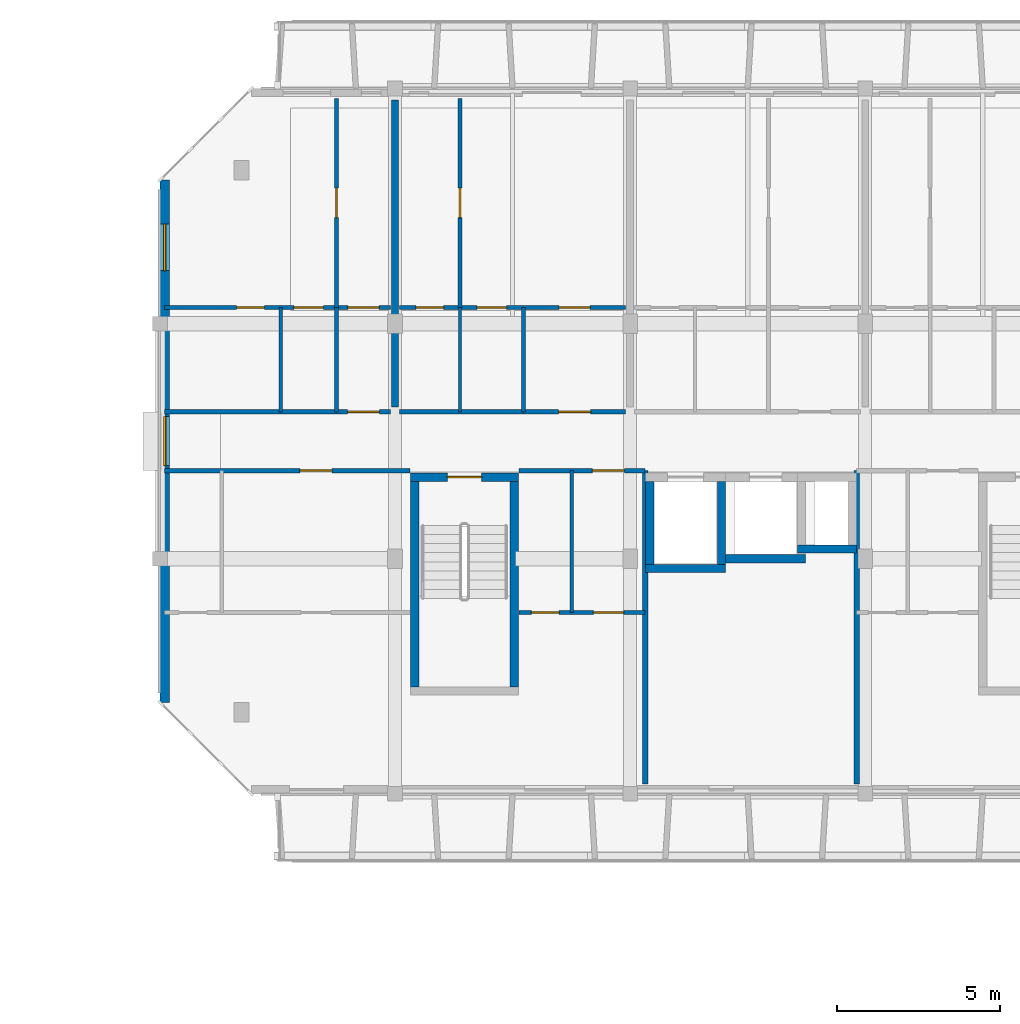
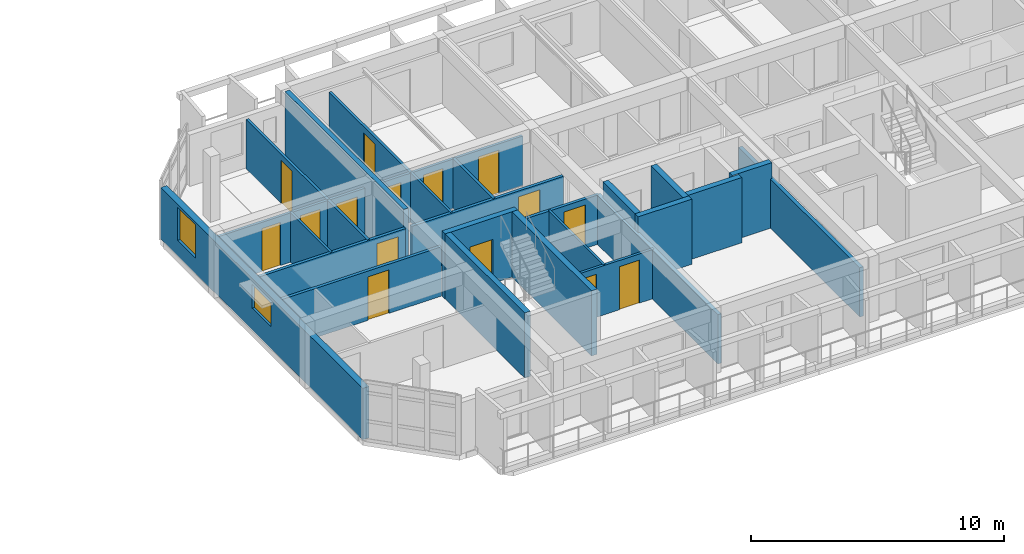
# One storey, part 29 of 43: 26 walls, 15 doors, 2 windows, 17 openings.
"""IFC4 building model written with IfcOpenShell, lengths in metres."""

from ifc_helpers import new_model, si_unit, direction, frame, frame_2d, origin, place, context, subcontext, project, spatial, rectangle, extrude, material, layer, layer_set, type_object, element, fill, save


model = new_model("IFC4")

# Units and contexts
model_context = context("Model", 3, precision=1e-05, world=origin(), true_north=direction((0.0, 1.0)))
body_context = subcontext(model_context, "Body", "Model", "MODEL_VIEW")
ifc_project = project(units=[si_unit("LENGTHUNIT", "METRE"), si_unit("AREAUNIT", "SQUARE_METRE"), si_unit("VOLUMEUNIT", "CUBIC_METRE"), si_unit("PLANEANGLEUNIT", "RADIAN"), si_unit("MASSUNIT", "GRAM", prefix="KILO")], contexts=[model_context])

# Site, building, storey
site_placement = place(None, origin())
site = spatial("IfcSite", under=ifc_project, at=site_placement, CompositionType="ELEMENT")
building_placement = place(site_placement, origin())
building = spatial("IfcBuilding", under=site, at=building_placement, Name="Ochrevale Crest", CompositionType="ELEMENT")
storey_placement = place(building_placement, frame((0.0, 0.0, 30.75)))
storey = spatial("IfcBuildingStorey", under=building, at=storey_placement, Name="L09", CompositionType="ELEMENT", Elevation=30.75)

# Wall, opening, door
ifc_material_1 = material(Name="Gypsum plasterboard", Category="gypsum")
ifc_layer_1 = layer(ifc_material_1, 0.139892578125)
ifc_layer_set_1 = layer_set([ifc_layer_1], Name="Gypsum plasterboard")
wall_type_1 = type_object("IfcWallType", Name="WL-COR-140", PredefinedType="PARTITIONING", material=ifc_layer_set_1)
wall_1_placement = place(storey_placement, frame((129.739990234375, 83.699951171875, 0.0), z_axis=(0.0, 0.0, 1.0), x_axis=(1.0, 0.0, 0.0)))
wall_1 = element("IfcWall", 1, at=wall_1_placement, inside=storey, type_object=wall_type_1, Name="Apartment D-L09-U1 corridor wall", PredefinedType="PARTITIONING", context=body_context, shape_type="SweptSolid", body=[
    extrude(rectangle(XDim=6.919921875, YDim=0.139892578125, at=frame_2d((3.4599609375, 0.0))), origin(), (0.0, 0.0, 1.0), 2.3798828125),
])
opening_1_placement = place(wall_1_placement, frame((5.60498046875, 0.0, 0.0)))
opening_1 = element("IfcOpeningElement", 2, at=opening_1_placement, cuts=wall_1, Name="Opening FD01", PredefinedType="OPENING", context=body_context, shape_type="SweptSolid", body=[
    extrude(rectangle(XDim=0.97998046875, YDim=2.10009765625, at=frame_2d((0.489990234375, 1.050048828125))), frame((0.0, 0.080078125, 0.0), z_axis=(0.0, -1.0, 0.0), x_axis=(1.0, 0.0, 0.0)), (0.0, 0.0, 1.0), 0.159912109375),
])
ifc_material_2 = material(Name="Solid-core FSC hardwood", Category="wood")
door_type_1 = type_object("IfcDoorType", Name="DR-APT-950", OperationType="NOTDEFINED", PredefinedType="DOOR", material=ifc_material_2)
door_1_placement = place(opening_1_placement, origin())
door_1 = element("IfcDoor", 3, at=door_1_placement, inside=storey, type_object=door_type_1, Name="Apartment D-L09-U1 entrance door", OperationType="SINGLE_SWING_LEFT", OverallHeight=2.10009765625, OverallWidth=0.97998046875, PredefinedType="DOOR", context=body_context, shape_type="SweptSolid", body=[
    extrude(rectangle(XDim=0.97998046875, YDim=2.10009765625, at=frame_2d((0.489990234375, 1.050048828125))), frame((0.0, 0.02490234375, 0.0), z_axis=(0.0, -1.0, 0.0), x_axis=(1.0, 0.0, 0.0)), (0.0, 0.0, 1.0), 0.050048828125),
])
fill(opening_1, door_1)

wall_2_placement = place(storey_placement, frame((136.93994140625, 83.699951171875, 0.0), z_axis=(0.0, 0.0, 1.0), x_axis=(1.0, 0.0, 0.0)))
wall_2 = element("IfcWall", 4, at=wall_2_placement, inside=storey, type_object=wall_type_1, Name="Apartment D-L09-U2 corridor wall", PredefinedType="PARTITIONING", context=body_context, shape_type="SweptSolid", body=[
    extrude(rectangle(XDim=6.920166015625, YDim=0.139892578125, at=frame_2d((3.4599609375, 0.0))), origin(), (0.0, 0.0, 1.0), 2.3798828125),
])
opening_2_placement = place(wall_2_placement, frame((5.85009765625, 0.0, 0.0), z_axis=(0.0, 0.0, 1.0), x_axis=(-1.0, 0.0, 0.0)))
opening_2 = element("IfcOpeningElement", 5, at=opening_2_placement, cuts=wall_2, Name="Opening FD01", PredefinedType="OPENING", context=body_context, shape_type="SweptSolid", body=[
    extrude(rectangle(XDim=0.97998046875, YDim=2.10009765625, at=frame_2d((0.489990234375, 1.050048828125))), frame((0.0, 0.080078125, 0.0), z_axis=(0.0, -1.0, 0.0), x_axis=(1.0, 0.0, 0.0)), (0.0, 0.0, 1.0), 0.159912109375),
])
door_2_placement = place(opening_2_placement, origin())
door_2 = element("IfcDoor", 6, at=door_2_placement, inside=storey, type_object=door_type_1, Name="Apartment D-L09-U2 entrance door", OperationType="SINGLE_SWING_RIGHT", OverallHeight=2.10009765625, OverallWidth=0.97998046875, PredefinedType="DOOR", context=body_context, shape_type="SweptSolid", body=[
    extrude(rectangle(XDim=0.97998046875, YDim=2.10009765625, at=frame_2d((0.489990234375, 1.050048828125))), frame((0.0, 0.02490234375, 0.0), z_axis=(0.0, -1.0, 0.0), x_axis=(1.0, 0.0, 0.0)), (0.0, 0.0, 1.0), 0.050048828125),
])
fill(opening_2, door_2)

wall_3_placement = place(storey_placement, frame((129.739990234375, 81.89990234375, 0.0), z_axis=(0.0, 0.0, 1.0), x_axis=(1.0, 0.0, 0.0)))
wall_3 = element("IfcWall", 7, at=wall_3_placement, inside=storey, type_object=wall_type_1, Name="Suite D-L09-CW corridor wall", PredefinedType="PARTITIONING", context=body_context, shape_type="SweptSolid", body=[
    extrude(rectangle(XDim=7.52001953125, YDim=0.139892578125, at=frame_2d((3.760009765625, 0.0))), origin(), (0.0, 0.0, 1.0), 2.3798828125),
])
opening_3_placement = place(wall_3_placement, frame((5.125, 0.0, 0.0), z_axis=(0.0, 0.0, 1.0), x_axis=(-1.0, 0.0, 0.0)))
opening_3 = element("IfcOpeningElement", 8, at=opening_3_placement, cuts=wall_3, Name="Opening FD01", PredefinedType="OPENING", context=body_context, shape_type="SweptSolid", body=[
    extrude(rectangle(XDim=0.97998046875, YDim=2.10009765625, at=frame_2d((0.489990234375, 1.050048828125))), frame((0.0, 0.080078125, 0.0), z_axis=(0.0, -1.0, 0.0), x_axis=(1.0, 0.0, 0.0)), (0.0, 0.0, 1.0), 0.159912109375),
])
door_3_placement = place(opening_3_placement, origin())
door_3 = element("IfcDoor", 9, at=door_3_placement, inside=storey, type_object=door_type_1, Name="Suite D-L09-CW entrance door", OperationType="SINGLE_SWING_RIGHT", OverallHeight=2.10009765625, OverallWidth=0.97998046875, PredefinedType="DOOR", context=body_context, shape_type="SweptSolid", body=[
    extrude(rectangle(XDim=0.97998046875, YDim=2.10009765625, at=frame_2d((0.489990234375, 1.050048828125))), frame((0.0, 0.02490234375, 0.0), z_axis=(0.0, -1.0, 0.0), x_axis=(1.0, 0.0, 0.0)), (0.0, 0.0, 1.0), 0.050048828125),
])
fill(opening_3, door_3)

wall_4_placement = place(storey_placement, frame((140.590087890625, 81.89990234375, 0.0), z_axis=(0.0, 0.0, 1.0), x_axis=(1.0, 0.0, 0.0)))
wall_4 = element("IfcWall", 10, at=wall_4_placement, inside=storey, type_object=wall_type_1, Name="Suite D-L09-MW corridor wall", PredefinedType="PARTITIONING", context=body_context, shape_type="SweptSolid", body=[
    extrude(rectangle(XDim=3.869873046875, YDim=0.139892578125, at=frame_2d((1.93505859375, 0.0))), origin(), (0.0, 0.0, 1.0), 2.3798828125),
])
opening_4_placement = place(wall_4_placement, frame((2.2578125, 0.0, 0.0)))
opening_4 = element("IfcOpeningElement", 11, at=opening_4_placement, cuts=wall_4, Name="Opening FD01", PredefinedType="OPENING", context=body_context, shape_type="SweptSolid", body=[
    extrude(rectangle(XDim=0.97998046875, YDim=2.10009765625, at=frame_2d((0.489990234375, 1.050048828125))), frame((0.0, 0.080078125, 0.0), z_axis=(0.0, -1.0, 0.0), x_axis=(1.0, 0.0, 0.0)), (0.0, 0.0, 1.0), 0.159912109375),
])
door_4_placement = place(opening_4_placement, origin())
door_4 = element("IfcDoor", 12, at=door_4_placement, inside=storey, type_object=door_type_1, Name="Suite D-L09-MW entrance door", OperationType="SINGLE_SWING_LEFT", OverallHeight=2.10009765625, OverallWidth=0.97998046875, PredefinedType="DOOR", context=body_context, shape_type="SweptSolid", body=[
    extrude(rectangle(XDim=0.97998046875, YDim=2.10009765625, at=frame_2d((0.489990234375, 1.050048828125))), frame((0.0, 0.02490234375, 0.0), z_axis=(0.0, -1.0, 0.0), x_axis=(1.0, 0.0, 0.0)), (0.0, 0.0, 1.0), 0.050048828125),
])
fill(opening_4, door_4)

ifc_material_3 = material(Name="Precast concrete C50/60", Category="concrete")
ifc_layer_2 = layer(ifc_material_3, 0.2548828125)
ifc_layer_set_2 = layer_set([ifc_layer_2], Name="Precast concrete C50/60")
wall_type_2 = type_object("IfcWallType", Name="WL-CORE-255", PredefinedType="SHEAR", material=ifc_layer_set_2)
wall_5_placement = place(storey_placement, frame((137.2724609375, 81.699951171875, 0.0), z_axis=(0.0, 0.0, 1.0), x_axis=(1.0, 0.0, 0.0)))
wall_5 = element("IfcWall", 13, at=wall_5_placement, inside=storey, type_object=wall_type_2, Name="Block D L09 Stair 1 precast core shear wall N", PredefinedType="SHEAR", context=body_context, shape_type="SweptSolid", body=[
    extrude(rectangle(XDim=3.304931640625, YDim=0.2548828125, at=frame_2d((1.65234375, 0.0))), origin(), (0.0, 0.0, 1.0), 3.14990234375),
])
opening_5_placement = place(wall_5_placement, frame((2.177490234375, 0.0, 0.0), z_axis=(0.0, 0.0, 1.0), x_axis=(-1.0, 0.0, 0.0)))
opening_5 = element("IfcOpeningElement", 14, at=opening_5_placement, cuts=wall_5, Name="Opening FD03", PredefinedType="OPENING", context=body_context, shape_type="SweptSolid", body=[
    extrude(rectangle(XDim=1.050048828125, YDim=2.1201171875, at=frame_2d((0.52490234375, 1.06005859375))), frame((0.0, 0.137451171875, 0.0), z_axis=(0.0, -1.0, 0.0), x_axis=(1.0, 0.0, 0.0)), (0.0, 0.0, 1.0), 0.27490234375),
])
door_type_2 = type_object("IfcDoorType", Name="DR-ST-1050", OperationType="NOTDEFINED", PredefinedType="DOOR", material=ifc_material_2)
door_5_placement = place(opening_5_placement, origin())
door_5 = element("IfcDoor", 15, at=door_5_placement, inside=storey, type_object=door_type_2, Name="Block D L09 fire stair 1 door", OperationType="SINGLE_SWING_RIGHT", OverallHeight=2.1201171875, OverallWidth=1.050048828125, PredefinedType="DOOR", context=body_context, shape_type="SweptSolid", body=[
    extrude(rectangle(XDim=1.050048828125, YDim=2.1201171875, at=frame_2d((0.52490234375, 1.06005859375))), frame((0.0, 0.02490234375, 0.0), z_axis=(0.0, -1.0, 0.0), x_axis=(1.0, 0.0, 0.0)), (0.0, 0.0, 1.0), 0.050048828125),
])
fill(opening_5, door_5)

# Walls
for number, where, z_axis, x_axis, name in (
    (16, (137.39990234375, 75.277587890625, 0.0), (0.0, 0.0, 1.0), (0.0, 1.0, 0.0), "Block D L09 Stair 1 precast core shear wall W"),
    (17, (140.449951171875, 75.277587890625, 0.0), (0.0, 0.0, 1.0), (0.0, 1.0, 0.0), "Block D L09 Stair 1 precast core shear wall E"),
):
    element("IfcWall", number, at=place(storey_placement, frame(where, z_axis=z_axis, x_axis=x_axis)), inside=storey, type_object=wall_type_2, Name=name, PredefinedType="SHEAR", context=body_context, shape_type="SweptSolid", body=[
        extrude(rectangle(XDim=6.294921875, YDim=0.2548828125, at=frame_2d((3.1474609375, 0.0))), origin(), (0.0, 0.0, 1.0), 3.14990234375),
    ])
wall_6_placement = place(storey_placement, frame((144.472412109375, 78.89990234375, 0.0), z_axis=(0.0, 0.0, 1.0), x_axis=(1.0, 0.0, 0.0)))
element("IfcWall", 18, at=wall_6_placement, inside=storey, type_object=wall_type_2, Name="Block D L09 Lift 1 precast shaft shear wall S", PredefinedType="SHEAR", context=body_context, shape_type="SweptSolid", body=[
    extrude(rectangle(XDim=2.455078125, YDim=0.2548828125, at=frame_2d((1.2275390625, 0.0))), origin(), (0.0, 0.0, 1.0), 3.14990234375),
])
for number, where, z_axis, x_axis, name in (
    (19, (144.60009765625, 79.027587890625, 0.0), (0.0, 0.0, 1.0), (0.0, 1.0, 0.0), "Block D L09 Lift 1 precast shaft shear wall W"),
    (20, (146.800048828125, 79.027587890625, 0.0), (0.0, 0.0, 1.0), (0.0, 1.0, 0.0), "Block D L09 Lift 1 precast shaft shear wall E"),
):
    element("IfcWall", number, at=place(storey_placement, frame(where, z_axis=z_axis, x_axis=x_axis)), inside=storey, type_object=wall_type_2, Name=name, PredefinedType="SHEAR", context=body_context, shape_type="SweptSolid", body=[
        extrude(rectangle(XDim=2.544921875, YDim=0.2548828125, at=frame_2d((1.2724609375, 0.0))), origin(), (0.0, 0.0, 1.0), 3.14990234375),
    ])
wall_7_placement = place(storey_placement, frame((146.922607421875, 79.199951171875, 0.0), z_axis=(0.0, 0.0, 1.0), x_axis=(1.0, 0.0, 0.0)))
element("IfcWall", 21, at=wall_7_placement, inside=storey, type_object=wall_type_2, Name="Block D L09 Lift 2 precast shaft shear wall S", PredefinedType="SHEAR", context=body_context, shape_type="SweptSolid", body=[
    extrude(rectangle(XDim=2.454833984375, YDim=0.2548828125, at=frame_2d((1.2275390625, 0.0))), origin(), (0.0, 0.0, 1.0), 3.14990234375),
])
wall_8_placement = place(storey_placement, frame((149.12255859375, 79.5, 0.0), z_axis=(0.0, 0.0, 1.0), x_axis=(1.0, 0.0, 0.0)))
element("IfcWall", 22, at=wall_8_placement, inside=storey, type_object=wall_type_2, Name="Block D L09 services riser shaft core wall S", PredefinedType="SHEAR", context=body_context, shape_type="SweptSolid", body=[
    extrude(rectangle(XDim=1.804931640625, YDim=0.2548828125, at=frame_2d((0.90234375, 0.0))), origin(), (0.0, 0.0, 1.0), 3.14990234375),
])

# Wall, openings, windows
ifc_material_4 = material(Name="Clay face brickwork", Category="masonry")
ifc_layer_3 = layer(ifc_material_4, 0.2900390625)
ifc_layer_set_3 = layer_set([ifc_layer_3], Name="Clay face brickwork")
wall_type_3 = type_object("IfcWallType", Name="WL-EXT-BRICK-290", PredefinedType="SOLIDWALL", material=ifc_layer_set_3)
wall_9_placement = place(storey_placement, frame((129.7451171875, 90.800048828125, 0.0), z_axis=(0.0, 0.0, 1.0), x_axis=(0.0, -1.0, 0.0)))
wall_9 = element("IfcWall", 23, at=wall_9_placement, inside=storey, type_object=wall_type_3, Name="Block D L09 external facade wall E7", PredefinedType="SOLIDWALL", context=body_context, shape_type="SweptSolid", body=[
    extrude(rectangle(XDim=16.0, YDim=0.2900390625, at=frame_2d((8.0, 0.0))), origin(), (0.0, 0.0, 1.0), 2.47998046875),
])
opening_6_placement = place(wall_9_placement, frame((7.25, 0.0, 1.050048828125)))
opening_6 = element("IfcOpeningElement", 24, at=opening_6_placement, cuts=wall_9, Name="Opening W18", PredefinedType="OPENING", context=body_context, shape_type="SweptSolid", body=[
    extrude(rectangle(XDim=1.5, YDim=1.14990234375, at=frame_2d((0.75, 0.574951171875))), frame((0.0, 0.155029296875, 0.0), z_axis=(0.0, -1.0, 0.0), x_axis=(1.0, 0.0, 0.0)), (0.0, 0.0, 1.0), 0.31005859375),
])
opening_7_placement = place(wall_9_placement, frame((1.35498046875, 0.0, 0.75)))
opening_7 = element("IfcOpeningElement", 25, at=opening_7_placement, cuts=wall_9, Name="Opening W31", PredefinedType="OPENING", context=body_context, shape_type="SweptSolid", body=[
    extrude(rectangle(XDim=1.419921875, YDim=1.60009765625, at=frame_2d((0.7099609375, 0.800048828125))), frame((0.0, 0.155029296875, 0.0), z_axis=(0.0, -1.0, 0.0), x_axis=(1.0, 0.0, 0.0)), (0.0, 0.0, 1.0), 0.31005859375),
])
ifc_material_5 = material(Name="Anodised aluminium 6063-T5 and low-E double glazing", Category="aluminium")
window_type_1 = type_object("IfcWindowType", Name="WIN-W18", PartitioningType="SINGLE_PANEL", PredefinedType="WINDOW", material=ifc_material_5)
window_1_placement = place(opening_6_placement, origin())
window_1 = element("IfcWindow", 26, at=window_1_placement, inside=storey, type_object=window_type_1, Name="Block D L09 corridor end daylight window W", OverallHeight=1.14990234375, OverallWidth=1.5, PartitioningType="SINGLE_PANEL", PredefinedType="WINDOW", context=body_context, shape_type="SweptSolid", body=[
    extrude(rectangle(XDim=1.5, YDim=1.14990234375, at=frame_2d((0.75, 0.574951171875))), frame((0.0, 0.030029296875, 0.0), z_axis=(0.0, -1.0, 0.0), x_axis=(1.0, 0.0, 0.0)), (0.0, 0.0, 1.0), 0.06005859375),
])
fill(opening_6, window_1)
window_type_2 = type_object("IfcWindowType", Name="WIN-W31", PartitioningType="SINGLE_PANEL", PredefinedType="WINDOW", material=ifc_material_5)
window_2_placement = place(opening_7_placement, origin())
window_2 = element("IfcWindow", 27, at=window_2_placement, inside=storey, type_object=window_type_2, Name="Block D L09 side suite window W", OverallHeight=1.60009765625, OverallWidth=1.419921875, PartitioningType="SINGLE_PANEL", PredefinedType="WINDOW", context=body_context, shape_type="SweptSolid", body=[
    extrude(rectangle(XDim=1.419921875, YDim=1.60009765625, at=frame_2d((0.7099609375, 0.800048828125))), frame((0.0, 0.030029296875, 0.0), z_axis=(0.0, -1.0, 0.0), x_axis=(1.0, 0.0, 0.0)), (0.0, 0.0, 1.0), 0.06005859375),
])
fill(opening_7, window_2)

# Wall
ifc_layer_4 = layer(ifc_material_1, 0.1201171875)
ifc_layer_set_4 = layer_set([ifc_layer_4], Name="Gypsum plasterboard")
wall_type_4 = type_object("IfcWallType", Name="WL-PART-120", PredefinedType="PARTITIONING", material=ifc_layer_set_4)
wall_10_placement = place(storey_placement, frame((135.010009765625, 83.699951171875, 0.0), z_axis=(0.0, 0.0, 1.0), x_axis=(0.0, 1.0, 0.0)))
element("IfcWall", 28, at=wall_10_placement, inside=storey, type_object=wall_type_4, Name="Apartment D-L09-U1 kitchen-foyer wall", PredefinedType="PARTITIONING", context=body_context, shape_type="SweptSolid", body=[
    extrude(rectangle(XDim=3.199951171875, YDim=0.1201171875, at=frame_2d((1.60009765625, 0.0))), origin(), (0.0, 0.0, 1.0), 2.3798828125),
])

# Wall, openings, doors
wall_11_placement = place(storey_placement, frame((129.739990234375, 86.89990234375, 0.0), z_axis=(0.0, 0.0, 1.0), x_axis=(1.0, 0.0, 0.0)))
wall_11 = element("IfcWall", 29, at=wall_11_placement, inside=storey, type_object=wall_type_4, Name="Apartment D-L09-U1 central partition", PredefinedType="PARTITIONING", context=body_context, shape_type="SweptSolid", body=[
    extrude(rectangle(XDim=6.919921875, YDim=0.1201171875, at=frame_2d((3.4599609375, 0.0))), origin(), (0.0, 0.0, 1.0), 2.3798828125),
])
opening_8_placement = place(wall_11_placement, frame((3.06005859375, 0.0, 0.0), z_axis=(0.0, 0.0, 1.0), x_axis=(-1.0, 0.0, 0.0)))
opening_8 = element("IfcOpeningElement", 30, at=opening_8_placement, cuts=wall_11, Name="Opening ID01", PredefinedType="OPENING", context=body_context, shape_type="SweptSolid", body=[
    extrude(rectangle(XDim=0.85009765625, YDim=2.080078125, at=frame_2d((0.425048828125, 1.0400390625))), frame((0.0, 0.070068359375, 0.0), z_axis=(0.0, -1.0, 0.0), x_axis=(1.0, 0.0, 0.0)), (0.0, 0.0, 1.0), 0.14013671875),
])
opening_9_placement = place(wall_11_placement, frame((3.965087890625, 0.0, 0.0)))
opening_9 = element("IfcOpeningElement", 31, at=opening_9_placement, cuts=wall_11, Name="Opening ID02", PredefinedType="OPENING", context=body_context, shape_type="SweptSolid", body=[
    extrude(rectangle(XDim=0.89990234375, YDim=2.080078125, at=frame_2d((0.449951171875, 1.0400390625))), frame((0.0, 0.070068359375, 0.0), z_axis=(0.0, -1.0, 0.0), x_axis=(1.0, 0.0, 0.0)), (0.0, 0.0, 1.0), 0.14013671875),
])
opening_10_placement = place(wall_11_placement, frame((6.570068359375, 0.0, 0.0), z_axis=(0.0, 0.0, 1.0), x_axis=(-1.0, 0.0, 0.0)))
opening_10 = element("IfcOpeningElement", 32, at=opening_10_placement, cuts=wall_11, Name="Opening ID06", PredefinedType="OPENING", context=body_context, shape_type="SweptSolid", body=[
    extrude(rectangle(XDim=0.949951171875, YDim=2.080078125, at=frame_2d((0.47509765625, 1.0400390625))), frame((0.0, 0.070068359375, 0.0), z_axis=(0.0, -1.0, 0.0), x_axis=(1.0, 0.0, 0.0)), (0.0, 0.0, 1.0), 0.14013671875),
])
door_type_3 = type_object("IfcDoorType", Name="DR-INT-900", OperationType="NOTDEFINED", PredefinedType="DOOR", material=ifc_material_2)
door_6_placement = place(opening_9_placement, origin())
door_6 = element("IfcDoor", 33, at=door_6_placement, inside=storey, type_object=door_type_3, Name="Apartment D-L09-U1 Kitchen door", OperationType="SINGLE_SWING_LEFT", OverallHeight=2.080078125, OverallWidth=0.89990234375, PredefinedType="DOOR", context=body_context, shape_type="SweptSolid", body=[
    extrude(rectangle(XDim=0.89990234375, YDim=2.080078125, at=frame_2d((0.449951171875, 1.0400390625))), frame((0.0, 0.02490234375, 0.0), z_axis=(0.0, -1.0, 0.0), x_axis=(1.0, 0.0, 0.0)), (0.0, 0.0, 1.0), 0.050048828125),
])
fill(opening_9, door_6)
door_type_4 = type_object("IfcDoorType", Name="DR-INT-950", OperationType="NOTDEFINED", PredefinedType="DOOR", material=ifc_material_2)
door_7_placement = place(opening_10_placement, origin())
door_7 = element("IfcDoor", 34, at=door_7_placement, inside=storey, type_object=door_type_4, Name="Apartment D-L09-U1 Living Foyer door", OperationType="SINGLE_SWING_RIGHT", OverallHeight=2.080078125, OverallWidth=0.949951171875, PredefinedType="DOOR", context=body_context, shape_type="SweptSolid", body=[
    extrude(rectangle(XDim=0.949951171875, YDim=2.080078125, at=frame_2d((0.47509765625, 1.0400390625))), frame((0.0, 0.02490234375, 0.0), z_axis=(0.0, -1.0, 0.0), x_axis=(1.0, 0.0, 0.0)), (0.0, 0.0, 1.0), 0.050048828125),
])
fill(opening_10, door_7)
door_type_5 = type_object("IfcDoorType", Name="DR-WC-850", OperationType="NOTDEFINED", PredefinedType="DOOR", material=ifc_material_2)
door_8_placement = place(opening_8_placement, origin())
door_8 = element("IfcDoor", 35, at=door_8_placement, inside=storey, type_object=door_type_5, Name="Apartment D-L09-U1 Bathroom door", OperationType="SINGLE_SWING_RIGHT", OverallHeight=2.080078125, OverallWidth=0.85009765625, PredefinedType="DOOR", context=body_context, shape_type="SweptSolid", body=[
    extrude(rectangle(XDim=0.85009765625, YDim=2.080078125, at=frame_2d((0.425048828125, 1.0400390625))), frame((0.0, 0.02490234375, 0.0), z_axis=(0.0, -1.0, 0.0), x_axis=(1.0, 0.0, 0.0)), (0.0, 0.0, 1.0), 0.050048828125),
])
fill(opening_8, door_8)

# Wall, opening, door
wall_12_placement = place(storey_placement, frame((135.010009765625, 86.89990234375, 0.0), z_axis=(0.0, 0.0, 1.0), x_axis=(0.0, 1.0, 0.0)))
wall_12 = element("IfcWall", 36, at=wall_12_placement, inside=storey, type_object=wall_type_4, Name="Apartment D-L09-U1 bedroom partition", PredefinedType="PARTITIONING", context=body_context, shape_type="SweptSolid", body=[
    extrude(rectangle(XDim=6.400146484375, YDim=0.1201171875, at=frame_2d((3.2001953125, 0.0))), origin(), (0.0, 0.0, 1.0), 2.3798828125),
])
opening_11_placement = place(wall_12_placement, frame((2.75, 0.0, 0.0)))
opening_11 = element("IfcOpeningElement", 37, at=opening_11_placement, cuts=wall_12, Name="Opening ID02", PredefinedType="OPENING", context=body_context, shape_type="SweptSolid", body=[
    extrude(rectangle(XDim=0.89990234375, YDim=2.080078125, at=frame_2d((0.449951171875, 1.0400390625))), frame((0.0, 0.070068359375, 0.0), z_axis=(0.0, -1.0, 0.0), x_axis=(1.0, 0.0, 0.0)), (0.0, 0.0, 1.0), 0.14013671875),
])
door_9_placement = place(opening_11_placement, origin())
door_9 = element("IfcDoor", 38, at=door_9_placement, inside=storey, type_object=door_type_3, Name="Apartment D-L09-U1 Double Bedroom door", OperationType="SINGLE_SWING_LEFT", OverallHeight=2.080078125, OverallWidth=0.89990234375, PredefinedType="DOOR", context=body_context, shape_type="SweptSolid", body=[
    extrude(rectangle(XDim=0.89990234375, YDim=2.080078125, at=frame_2d((0.449951171875, 1.0400390625))), frame((0.0, 0.02490234375, 0.0), z_axis=(0.0, -1.0, 0.0), x_axis=(1.0, 0.0, 0.0)), (0.0, 0.0, 1.0), 0.050048828125),
])
fill(opening_11, door_9)

# Wall
wall_13_placement = place(storey_placement, frame((140.739990234375, 83.699951171875, 0.0), z_axis=(0.0, 0.0, 1.0), x_axis=(0.0, 1.0, 0.0)))
element("IfcWall", 39, at=wall_13_placement, inside=storey, type_object=wall_type_4, Name="Apartment D-L09-U2 kitchen-foyer wall", PredefinedType="PARTITIONING", context=body_context, shape_type="SweptSolid", body=[
    extrude(rectangle(XDim=3.199951171875, YDim=0.1201171875, at=frame_2d((1.60009765625, 0.0))), origin(), (0.0, 0.0, 1.0), 2.3798828125),
])

# Wall, openings, doors
wall_14_placement = place(storey_placement, frame((136.93994140625, 86.89990234375, 0.0), z_axis=(0.0, 0.0, 1.0), x_axis=(1.0, 0.0, 0.0)))
wall_14 = element("IfcWall", 40, at=wall_14_placement, inside=storey, type_object=wall_type_4, Name="Apartment D-L09-U2 central partition", PredefinedType="PARTITIONING", context=body_context, shape_type="SweptSolid", body=[
    extrude(rectangle(XDim=6.920166015625, YDim=0.1201171875, at=frame_2d((3.4599609375, 0.0))), origin(), (0.0, 0.0, 1.0), 2.3798828125),
])
opening_12_placement = place(wall_14_placement, frame((0.5, 0.0, 0.0)))
opening_12 = element("IfcOpeningElement", 41, at=opening_12_placement, cuts=wall_14, Name="Opening ID01", PredefinedType="OPENING", context=body_context, shape_type="SweptSolid", body=[
    extrude(rectangle(XDim=0.85009765625, YDim=2.080078125, at=frame_2d((0.425048828125, 1.0400390625))), frame((0.0, 0.070068359375, 0.0), z_axis=(0.0, -1.0, 0.0), x_axis=(1.0, 0.0, 0.0)), (0.0, 0.0, 1.0), 0.14013671875),
])
opening_13_placement = place(wall_14_placement, frame((3.27490234375, 0.0, 0.0), z_axis=(0.0, 0.0, 1.0), x_axis=(-1.0, 0.0, 0.0)))
opening_13 = element("IfcOpeningElement", 42, at=opening_13_placement, cuts=wall_14, Name="Opening ID02", PredefinedType="OPENING", context=body_context, shape_type="SweptSolid", body=[
    extrude(rectangle(XDim=0.89990234375, YDim=2.080078125, at=frame_2d((0.449951171875, 1.0400390625))), frame((0.0, 0.070068359375, 0.0), z_axis=(0.0, -1.0, 0.0), x_axis=(1.0, 0.0, 0.0)), (0.0, 0.0, 1.0), 0.14013671875),
])
opening_14_placement = place(wall_14_placement, frame((4.885009765625, 0.0, 0.0)))
opening_14 = element("IfcOpeningElement", 43, at=opening_14_placement, cuts=wall_14, Name="Opening ID06", PredefinedType="OPENING", context=body_context, shape_type="SweptSolid", body=[
    extrude(rectangle(XDim=0.949951171875, YDim=2.080078125, at=frame_2d((0.47509765625, 1.0400390625))), frame((0.0, 0.070068359375, 0.0), z_axis=(0.0, -1.0, 0.0), x_axis=(1.0, 0.0, 0.0)), (0.0, 0.0, 1.0), 0.14013671875),
])
door_10_placement = place(opening_13_placement, origin())
door_10 = element("IfcDoor", 44, at=door_10_placement, inside=storey, type_object=door_type_3, Name="Apartment D-L09-U2 Kitchen door", OperationType="SINGLE_SWING_RIGHT", OverallHeight=2.080078125, OverallWidth=0.89990234375, PredefinedType="DOOR", context=body_context, shape_type="SweptSolid", body=[
    extrude(rectangle(XDim=0.89990234375, YDim=2.080078125, at=frame_2d((0.449951171875, 1.0400390625))), frame((0.0, 0.02490234375, 0.0), z_axis=(0.0, -1.0, 0.0), x_axis=(1.0, 0.0, 0.0)), (0.0, 0.0, 1.0), 0.050048828125),
])
fill(opening_13, door_10)
door_11_placement = place(opening_14_placement, origin())
door_11 = element("IfcDoor", 45, at=door_11_placement, inside=storey, type_object=door_type_4, Name="Apartment D-L09-U2 Living Foyer door", OperationType="SINGLE_SWING_LEFT", OverallHeight=2.080078125, OverallWidth=0.949951171875, PredefinedType="DOOR", context=body_context, shape_type="SweptSolid", body=[
    extrude(rectangle(XDim=0.949951171875, YDim=2.080078125, at=frame_2d((0.47509765625, 1.0400390625))), frame((0.0, 0.02490234375, 0.0), z_axis=(0.0, -1.0, 0.0), x_axis=(1.0, 0.0, 0.0)), (0.0, 0.0, 1.0), 0.050048828125),
])
fill(opening_14, door_11)
door_12_placement = place(opening_12_placement, origin())
door_12 = element("IfcDoor", 46, at=door_12_placement, inside=storey, type_object=door_type_5, Name="Apartment D-L09-U2 Bathroom door", OperationType="SINGLE_SWING_LEFT", OverallHeight=2.080078125, OverallWidth=0.85009765625, PredefinedType="DOOR", context=body_context, shape_type="SweptSolid", body=[
    extrude(rectangle(XDim=0.85009765625, YDim=2.080078125, at=frame_2d((0.425048828125, 1.0400390625))), frame((0.0, 0.02490234375, 0.0), z_axis=(0.0, -1.0, 0.0), x_axis=(1.0, 0.0, 0.0)), (0.0, 0.0, 1.0), 0.050048828125),
])
fill(opening_12, door_12)

# Wall, opening, door
wall_15_placement = place(storey_placement, frame((138.7900390625, 86.89990234375, 0.0), z_axis=(0.0, 0.0, 1.0), x_axis=(0.0, 1.0, 0.0)))
wall_15 = element("IfcWall", 47, at=wall_15_placement, inside=storey, type_object=wall_type_4, Name="Apartment D-L09-U2 bedroom partition", PredefinedType="PARTITIONING", context=body_context, shape_type="SweptSolid", body=[
    extrude(rectangle(XDim=6.400146484375, YDim=0.1201171875, at=frame_2d((3.2001953125, 0.0))), origin(), (0.0, 0.0, 1.0), 2.3798828125),
])
opening_15_placement = place(wall_15_placement, frame((3.64990234375, 0.0, 0.0), z_axis=(0.0, 0.0, 1.0), x_axis=(-1.0, 0.0, 0.0)))
opening_15 = element("IfcOpeningElement", 48, at=opening_15_placement, cuts=wall_15, Name="Opening ID02", PredefinedType="OPENING", context=body_context, shape_type="SweptSolid", body=[
    extrude(rectangle(XDim=0.89990234375, YDim=2.080078125, at=frame_2d((0.449951171875, 1.0400390625))), frame((0.0, 0.070068359375, 0.0), z_axis=(0.0, -1.0, 0.0), x_axis=(1.0, 0.0, 0.0)), (0.0, 0.0, 1.0), 0.14013671875),
])
door_13_placement = place(opening_15_placement, origin())
door_13 = element("IfcDoor", 49, at=door_13_placement, inside=storey, type_object=door_type_3, Name="Apartment D-L09-U2 Master Bedroom door", OperationType="SINGLE_SWING_RIGHT", OverallHeight=2.080078125, OverallWidth=0.89990234375, PredefinedType="DOOR", context=body_context, shape_type="SweptSolid", body=[
    extrude(rectangle(XDim=0.89990234375, YDim=2.080078125, at=frame_2d((0.449951171875, 1.0400390625))), frame((0.0, 0.02490234375, 0.0), z_axis=(0.0, -1.0, 0.0), x_axis=(1.0, 0.0, 0.0)), (0.0, 0.0, 1.0), 0.050048828125),
])
fill(opening_15, door_13)

# Wall, openings, doors
wall_16_placement = place(storey_placement, frame((140.590087890625, 77.550048828125, 0.0), z_axis=(0.0, 0.0, 1.0), x_axis=(1.0, 0.0, 0.0)))
wall_16 = element("IfcWall", 50, at=wall_16_placement, inside=storey, type_object=wall_type_4, Name="Suite D-L09-MW internal wall", PredefinedType="PARTITIONING", context=body_context, shape_type="SweptSolid", body=[
    extrude(rectangle(XDim=3.869873046875, YDim=0.1201171875, at=frame_2d((1.93505859375, 0.0))), origin(), (0.0, 0.0, 1.0), 2.3798828125),
])
opening_16_placement = place(wall_16_placement, frame((1.23779296875, 0.0, 0.0), z_axis=(0.0, 0.0, 1.0), x_axis=(-1.0, 0.0, 0.0)))
opening_16 = element("IfcOpeningElement", 51, at=opening_16_placement, cuts=wall_16, Name="Opening ID01", PredefinedType="OPENING", context=body_context, shape_type="SweptSolid", body=[
    extrude(rectangle(XDim=0.85009765625, YDim=2.080078125, at=frame_2d((0.425048828125, 1.0400390625))), frame((0.0, 0.070068359375, 0.0), z_axis=(0.0, -1.0, 0.0), x_axis=(1.0, 0.0, 0.0)), (0.0, 0.0, 1.0), 0.14013671875),
])
opening_17_placement = place(wall_16_placement, frame((2.28759765625, 0.0, 0.0)))
opening_17 = element("IfcOpeningElement", 52, at=opening_17_placement, cuts=wall_16, Name="Opening ID04", PredefinedType="OPENING", context=body_context, shape_type="SweptSolid", body=[
    extrude(rectangle(XDim=0.919921875, YDim=2.080078125, at=frame_2d((0.4599609375, 1.0400390625))), frame((0.0, 0.070068359375, 0.0), z_axis=(0.0, -1.0, 0.0), x_axis=(1.0, 0.0, 0.0)), (0.0, 0.0, 1.0), 0.14013671875),
])
door_type_6 = type_object("IfcDoorType", Name="DR-INT-920", OperationType="NOTDEFINED", PredefinedType="DOOR", material=ifc_material_2)
door_14_placement = place(opening_17_placement, origin())
door_14 = element("IfcDoor", 53, at=door_14_placement, inside=storey, type_object=door_type_6, Name="Suite D-L09-MW Courtyard Studio Living door", OperationType="SINGLE_SWING_LEFT", OverallHeight=2.080078125, OverallWidth=0.919921875, PredefinedType="DOOR", context=body_context, shape_type="SweptSolid", body=[
    extrude(rectangle(XDim=0.919921875, YDim=2.080078125, at=frame_2d((0.4599609375, 1.0400390625))), frame((0.0, 0.02490234375, 0.0), z_axis=(0.0, -1.0, 0.0), x_axis=(1.0, 0.0, 0.0)), (0.0, 0.0, 1.0), 0.050048828125),
])
fill(opening_17, door_14)
door_15_placement = place(opening_16_placement, origin())
door_15 = element("IfcDoor", 54, at=door_15_placement, inside=storey, type_object=door_type_5, Name="Suite D-L09-MW Bathroom door", OperationType="SINGLE_SWING_RIGHT", OverallHeight=2.080078125, OverallWidth=0.85009765625, PredefinedType="DOOR", context=body_context, shape_type="SweptSolid", body=[
    extrude(rectangle(XDim=0.85009765625, YDim=2.080078125, at=frame_2d((0.425048828125, 1.0400390625))), frame((0.0, 0.02490234375, 0.0), z_axis=(0.0, -1.0, 0.0), x_axis=(1.0, 0.0, 0.0)), (0.0, 0.0, 1.0), 0.050048828125),
])
fill(opening_16, door_15)

# Walls
ifc_material_6 = material(Name="Precast concrete C40/50", Category="concrete")
ifc_layer_5 = layer(ifc_material_6, 0.2099609375)
ifc_layer_set_5 = layer_set([ifc_layer_5], Name="Precast concrete C40/50")
wall_type_5 = type_object("IfcWallType", Name="WL-SHEAR-210", PredefinedType="SHEAR", material=ifc_layer_set_5)
wall_17_placement = place(storey_placement, frame((136.800048828125, 83.85009765625, 0.0), z_axis=(0.0, 0.0, 1.0), x_axis=(0.0, 1.0, 0.0)))
element("IfcWall", 55, at=wall_17_placement, inside=storey, type_object=wall_type_5, Name="Block D L09 load-bearing precast cross-wall X=136.8", PredefinedType="SHEAR", context=body_context, shape_type="SweptSolid", body=[
    extrude(rectangle(XDim=9.39990234375, YDim=0.2099609375, at=frame_2d((4.699951171875, 0.0))), origin(), (0.0, 0.0, 1.0), 3.14990234375),
])
ifc_layer_6 = layer(ifc_material_1, 0.169921875)
ifc_layer_set_6 = layer_set([ifc_layer_6], Name="Gypsum plasterboard")
wall_type_6 = type_object("IfcWallType", Name="WL-TEN-170", PredefinedType="PARTITIONING", material=ifc_layer_set_6)
for number, where, z_axis, x_axis, name in (
    (56, (144.4599609375, 72.300048828125, 0.0), (0.0, 0.0, 1.0), (0.0, 1.0, 0.0), "Suite D-L09-MW east party wall"),
    (57, (150.93994140625, 72.300048828125, 0.0), (0.0, 0.0, 1.0), (0.0, 1.0, 0.0), "Suite D-L09-ME west party wall"),
):
    element("IfcWall", number, at=place(storey_placement, frame(where, z_axis=z_axis, x_axis=x_axis)), inside=storey, type_object=wall_type_6, Name=name, PredefinedType="PARTITIONING", context=body_context, shape_type="SweptSolid", body=[
        extrude(rectangle(XDim=9.599853515625, YDim=0.169921875, at=frame_2d((4.7998046875, 0.0))), origin(), (0.0, 0.0, 1.0), 2.3798828125),
    ])
ifc_layer_7 = layer(ifc_material_1, 0.10009765625)
ifc_layer_set_7 = layer_set([ifc_layer_7], Name="Gypsum plasterboard")
wall_type_7 = type_object("IfcWallType", Name="WL-WET-100", PredefinedType="PARTITIONING", material=ifc_layer_set_7)
for number, where, z_axis, x_axis, name in (
    (58, (133.300048828125, 83.699951171875, 0.0), (0.0, 0.0, 1.0), (0.0, 1.0, 0.0), "Apartment D-L09-U1 bath-kitchen wall"),
    (59, (138.7900390625, 83.699951171875, 0.0), (0.0, 0.0, 1.0), (0.0, 1.0, 0.0), "Apartment D-L09-U2 bath-kitchen wall"),
):
    element("IfcWall", number, at=place(storey_placement, frame(where, z_axis=z_axis, x_axis=x_axis)), inside=storey, type_object=wall_type_7, Name=name, PredefinedType="PARTITIONING", context=body_context, shape_type="SweptSolid", body=[
        extrude(rectangle(XDim=3.199951171875, YDim=0.10009765625, at=frame_2d((1.60009765625, 0.0))), origin(), (0.0, 0.0, 1.0), 2.3798828125),
    ])
wall_18_placement = place(storey_placement, frame((142.21533203125, 77.550048828125, 0.0), z_axis=(0.0, 0.0, 1.0), x_axis=(0.0, 1.0, 0.0)))
element("IfcWall", 60, at=wall_18_placement, inside=storey, type_object=wall_type_7, Name="Suite D-L09-MW bathroom divider", PredefinedType="PARTITIONING", context=body_context, shape_type="SweptSolid", body=[
    extrude(rectangle(XDim=4.349853515625, YDim=0.10009765625, at=frame_2d((2.1748046875, 0.0))), origin(), (0.0, 0.0, 1.0), 2.3798828125),
])

save(model, "model.ifc")
